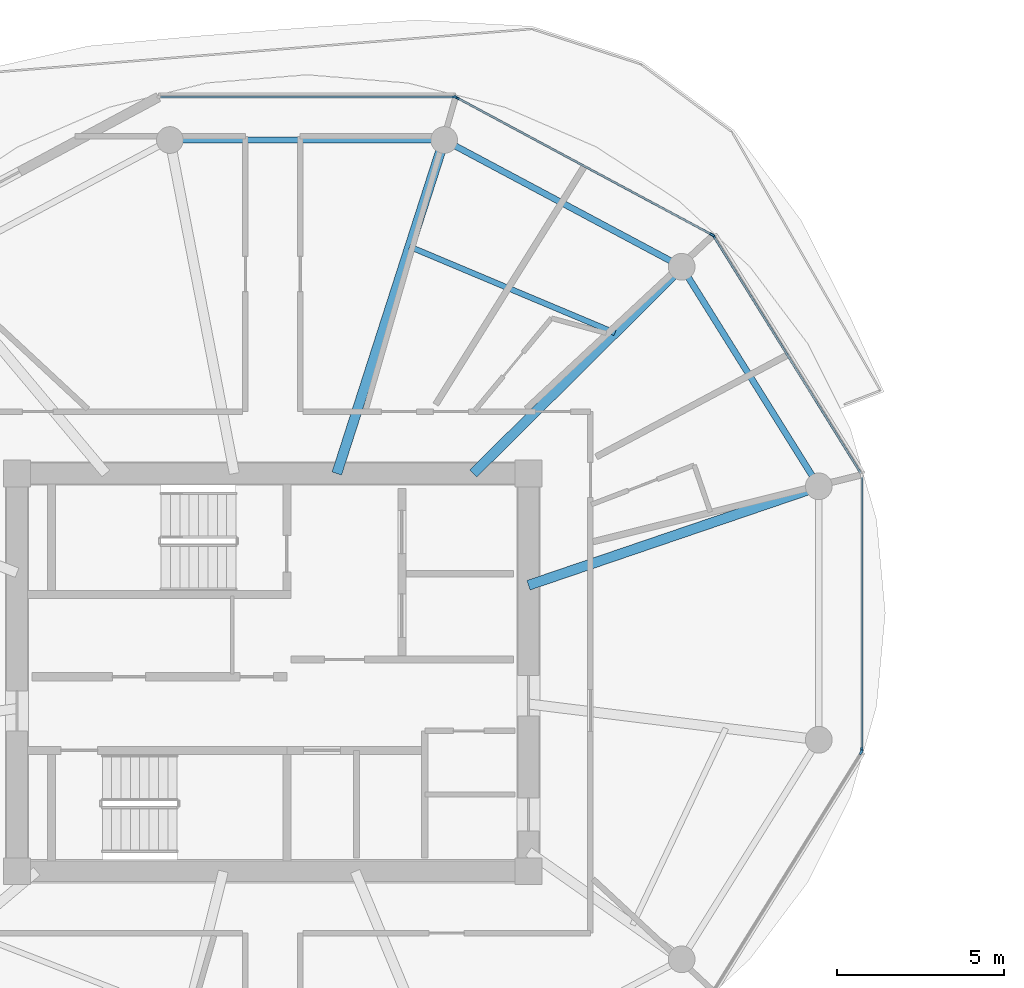
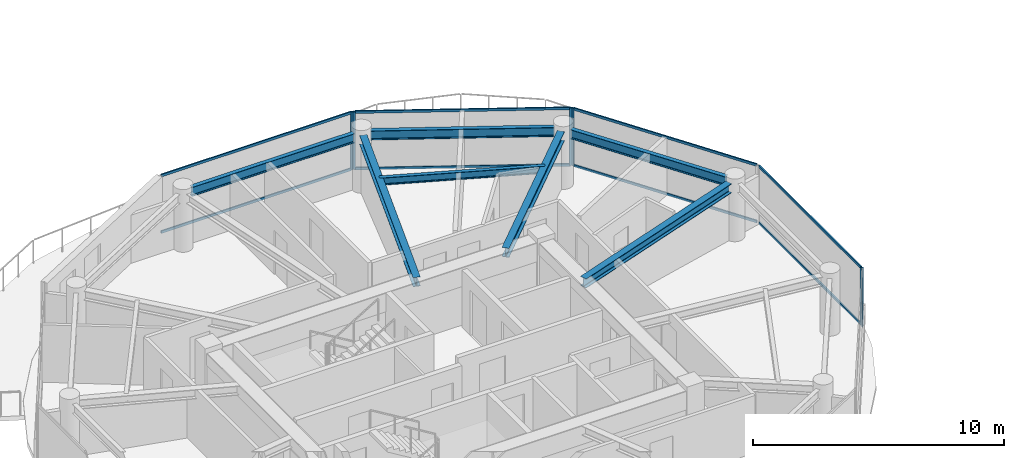
# One storey, part 5 of 21: 14 members, 7 beams, 5 elements without a shape of their own.
"""IFC4 building model written with IfcOpenShell, lengths in metres."""

from ifc_helpers import new_model, si_unit, direction, frame, origin, origin_2d, place, context, subcontext, project, spatial, rectangle, i_section, extrude, source, transform, mapped, material, layer, layer_set, material_profile, profile_set, type_object, type_shapes, element, aggregate, save


model = new_model("IFC4")

# Units and contexts
model_context = context("Model", 3, precision=1e-05, world=origin(), true_north=direction((0.0, 1.0)))
body_context = subcontext(model_context, "Body", "Model", "MODEL_VIEW")
ifc_project = project(units=[si_unit("LENGTHUNIT", "METRE"), si_unit("AREAUNIT", "SQUARE_METRE"), si_unit("VOLUMEUNIT", "CUBIC_METRE"), si_unit("PLANEANGLEUNIT", "RADIAN"), si_unit("MASSUNIT", "GRAM", prefix="KILO")], contexts=[model_context])

# Site, building, storey
site_placement = place(None, origin())
site = spatial("IfcSite", under=ifc_project, at=site_placement, CompositionType="ELEMENT")
building_placement = place(site_placement, origin())
building = spatial("IfcBuilding", under=site, at=building_placement, Name="Norrkilde Senior Care Towers", CompositionType="ELEMENT")
storey_placement = place(building_placement, frame((0.0, 0.0, 149.550048828125)))
storey = spatial("IfcBuildingStorey", under=building, at=storey_placement, Name="L46", CompositionType="ELEMENT", Elevation=149.550048828125)

# Beams
ifc_material_1 = material(Name="Steel S355", Category="steel")
ifc_material_profile_1 = material_profile(ifc_material_1, i_section(OverallWidth=0.18994140625, OverallDepth=0.449951171875, WebThickness=0.009521484375, FlangeThickness=0.0146484375, FilletRadius=0.02099609375, at=origin_2d()), Name="IPE 450")
ifc_profile_set_1 = profile_set([ifc_material_profile_1], Name="Steel S355")
beam_type_1 = type_object("IfcBeamType", Name="Perimeter Ring Spandrel Z3 IPE450", PredefinedType="SPANDREL", material=ifc_profile_set_1)
shared_shape_1 = source(origin(), body_context, "Body", "SweptSolid", [
    extrude(i_section(OverallWidth=0.18994140625, OverallDepth=0.449951171875, WebThickness=0.009521484375, FlangeThickness=0.0146484375, FilletRadius=0.02099609375, at=origin_2d()), origin(), (0.0, 0.0, 1.0), 7.0234375),
])
beam_1_placement = place(storey_placement, frame((-11.855712890625, 5.872314453125, 2.5849609375), z_axis=(-0.529789577822, 0.848129119433, 0.0), x_axis=(-0.848129119433, -0.529789577822, 0.0)))
element("IfcBeam", 1, at=beam_1_placement, inside=storey, type_object=beam_type_1, Name="L46 Drum W Perimeter Spandrel 01", PredefinedType="SPANDREL", context=body_context, shape_type="MappedRepresentation", body=[
    mapped(shared_shape_1, transform((0.0, 0.0, 0.0), x_axis=(1.0, 0.0, 0.0), y_axis=(0.0, 1.0, 0.0), z_axis=(0.0, 0.0, 1.0), scale=1.0)),
])
ifc_material_profile_2 = material_profile(ifc_material_1, i_section(OverallWidth=0.300048828125, OverallDepth=0.449951171875, WebThickness=0.013916015625, FlangeThickness=0.02587890625, FilletRadius=0.027099609375, at=origin_2d()), Name="HEB 450")
ifc_profile_set_2 = profile_set([ifc_material_profile_2], Name="Steel S355")
beam_type_2 = type_object("IfcBeamType", Name="Radial Floor Beam Z3 HEB450", PredefinedType="BEAM", material=ifc_profile_set_2)
shared_shape_2 = source(origin(), body_context, "Body", "SweptSolid", [
    extrude(i_section(OverallWidth=0.300048828125, OverallDepth=0.449951171875, WebThickness=0.013916015625, FlangeThickness=0.02587890625, FilletRadius=0.027099609375, at=origin_2d()), origin(), (0.0, 0.0, 1.0), 8.8154296875),
])
beam_2_placement = place(storey_placement, frame((-20.35009765625, 2.607177734375, 2.5849609375), z_axis=(0.946540556878, 0.322584832539, 0.0), x_axis=(-0.322584832539, 0.946540556878, 0.0)))
element("IfcBeam", 2, at=beam_2_placement, inside=storey, type_object=beam_type_2, Name="L46 Drum W Radial Floor Beam 01", PredefinedType="BEAM", context=body_context, shape_type="MappedRepresentation", body=[
    mapped(shared_shape_2, transform((0.0, 0.0, 0.0), x_axis=(1.0, 0.0, 0.0), y_axis=(0.0, 1.0, 0.0), z_axis=(0.0, 0.0, 1.0), scale=1.0)),
])
shared_shape_3 = source(origin(), body_context, "Body", "SweptSolid", [
    extrude(i_section(OverallWidth=0.18994140625, OverallDepth=0.449951171875, WebThickness=0.009521484375, FlangeThickness=0.0146484375, FilletRadius=0.02099609375, at=origin_2d()), origin(), (0.0, 0.0, 1.0), 7.333740234375),
])
beam_3_placement = place(storey_placement, frame((-16.0849609375, 12.303955078125, 2.5849609375), z_axis=(-0.882247866069, 0.470785198172, 0.0), x_axis=(-0.470785198172, -0.882247866069, 0.0)))
element("IfcBeam", 3, at=beam_3_placement, inside=storey, type_object=beam_type_1, Name="L46 Drum W Perimeter Spandrel 02", PredefinedType="SPANDREL", context=body_context, shape_type="MappedRepresentation", body=[
    mapped(shared_shape_3, transform((0.0, 0.0, 0.0), x_axis=(1.0, 0.0, 0.0), y_axis=(0.0, 1.0, 0.0), z_axis=(0.0, 0.0, 1.0), scale=1.0)),
])
shared_shape_4 = source(origin(), body_context, "Body", "SweptSolid", [
    extrude(i_section(OverallWidth=0.300048828125, OverallDepth=0.449951171875, WebThickness=0.013916015625, FlangeThickness=0.02587890625, FilletRadius=0.027099609375, at=origin_2d()), origin(), (0.0, 0.0, 1.0), 8.421630859375),
])
beam_4_placement = place(storey_placement, frame((-22.001953125, 5.949951171875, 2.5849609375), z_axis=(0.709956495972, 0.704245535184, 0.0), x_axis=(-0.704245535184, 0.709956495972, 0.0)))
element("IfcBeam", 4, at=beam_4_placement, inside=storey, type_object=beam_type_2, Name="L46 Drum W Radial Floor Beam 02", PredefinedType="BEAM", context=body_context, shape_type="MappedRepresentation", body=[
    mapped(shared_shape_4, transform((0.0, 0.0, 0.0), x_axis=(1.0, 0.0, 0.0), y_axis=(0.0, 1.0, 0.0), z_axis=(0.0, 0.0, 1.0), scale=1.0)),
])
shared_shape_5 = source(origin(), body_context, "Body", "SweptSolid", [
    extrude(i_section(OverallWidth=0.18994140625, OverallDepth=0.449951171875, WebThickness=0.009521484375, FlangeThickness=0.0146484375, FilletRadius=0.02099609375, at=origin_2d()), origin(), (0.0, 0.0, 1.0), 7.484619140625),
])
type_shapes(beam_type_1, [shared_shape_1, shared_shape_3, shared_shape_5])
beam_5_placement = place(storey_placement, frame((-23.232666015625, 15.92626953125, 2.5849609375), z_axis=(-1.0, 0.0, 0.0), x_axis=(0.0, -1.0, 0.0)))
element("IfcBeam", 5, at=beam_5_placement, inside=storey, type_object=beam_type_1, Name="L46 Drum W Perimeter Spandrel 03", PredefinedType="SPANDREL", context=body_context, shape_type="MappedRepresentation", body=[
    mapped(shared_shape_5, transform((0.0, 0.0, 0.0), x_axis=(1.0, 0.0, 0.0), y_axis=(0.0, 1.0, 0.0), z_axis=(0.0, 0.0, 1.0), scale=1.0)),
])
shared_shape_6 = source(origin(), body_context, "Body", "SweptSolid", [
    extrude(i_section(OverallWidth=0.300048828125, OverallDepth=0.449951171875, WebThickness=0.013916015625, FlangeThickness=0.02587890625, FilletRadius=0.027099609375, at=origin_2d()), origin(), (0.0, 0.0, 1.0), 10.120361328125),
])
type_shapes(beam_type_2, [shared_shape_2, shared_shape_4, shared_shape_6])
beam_6_placement = place(storey_placement, frame((-26.08447265625, 5.949951171875, 2.5849609375), z_axis=(0.306440973744, 0.951889662519, 0.0), x_axis=(-0.951889662519, 0.306440973744, 0.0)))
element("IfcBeam", 6, at=beam_6_placement, inside=storey, type_object=beam_type_2, Name="L46 Drum W Radial Floor Beam 03", PredefinedType="BEAM", context=body_context, shape_type="MappedRepresentation", body=[
    mapped(shared_shape_6, transform((0.0, 0.0, 0.0), x_axis=(1.0, 0.0, 0.0), y_axis=(0.0, 1.0, 0.0), z_axis=(0.0, 0.0, 1.0), scale=1.0)),
])
ifc_material_profile_3 = material_profile(ifc_material_1, i_section(OverallWidth=0.169921875, OverallDepth=0.360107421875, WebThickness=0.008056640625, FlangeThickness=0.0126953125, FilletRadius=0.01806640625, at=origin_2d()), Name="IPE 360")
ifc_profile_set_3 = profile_set([ifc_material_profile_3], Name="Steel S355")
beam_type_3 = type_object("IfcBeamType", Name="Secondary Floor Joist IPE360", PredefinedType="JOIST", material=ifc_profile_set_3)
shared_shape_7 = source(origin(), body_context, "Body", "SweptSolid", [
    extrude(i_section(OverallWidth=0.169921875, OverallDepth=0.360107421875, WebThickness=0.008056640625, FlangeThickness=0.0126953125, FilletRadius=0.01806640625, at=origin_2d()), origin(), (0.0, 0.0, 1.0), 6.657470703125),
])
type_shapes(beam_type_3, [shared_shape_7])
beam_7_placement = place(storey_placement, frame((-17.762451171875, 10.155517578125, 2.6298828125), z_axis=(-0.921958799252, 0.387287971, 0.0), x_axis=(-0.387287971, -0.921958799252, 0.0)))
element("IfcBeam", 7, at=beam_7_placement, inside=storey, type_object=beam_type_3, Name="L46 Drum W Secondary Floor Joist 1", PredefinedType="JOIST", context=body_context, shape_type="MappedRepresentation", body=[
    mapped(shared_shape_7, transform((0.0, 0.0, 0.0), x_axis=(1.0, 0.0, 0.0), y_axis=(0.0, 1.0, 0.0), z_axis=(0.0, 0.0, 1.0), scale=1.0)),
])

# Curtain wall, member
ifc_material_2 = material(Name="Triple Low-E Insulated Glazing", Category="glass")
ifc_layer = layer(ifc_material_2, 0.18994140625)
ifc_layer_set = layer_set([ifc_layer], Name="Triple Low-E Insulated Glazing")
curtain_wall_type = type_object("IfcCurtainWallType", Name="CW4 Zone 3 Senior Residence Curtain Wall", PredefinedType="NOTDEFINED", material=ifc_layer_set)
curtain_wall_1_placement = place(storey_placement, origin())
curtain_wall_1 = element("IfcCurtainWall", 8, at=curtain_wall_1_placement, inside=storey, type_object=curtain_wall_type, Name="L46 Drum W Curtain Wall 00", PredefinedType="NOTDEFINED")
ifc_material_3 = material(Name="Anodised Aluminium", Category="aluminium")
ifc_material_profile_4 = material_profile(ifc_material_3, rectangle(XDim=0.06494140625, YDim=0.14990234375, at=origin_2d()), Name="ALU MULL 65x150")
ifc_profile_set_4 = profile_set([ifc_material_profile_4], Name="Anodised Aluminium")
member_type_1 = type_object("IfcMemberType", Name="Curtain Wall Mullion Z3-Z4 65x150", PredefinedType="MULLION", material=ifc_profile_set_4)
shared_shape_8 = source(origin(), body_context, "Body", "SweptSolid", [
    extrude(rectangle(XDim=0.06494140625, YDim=0.14990234375, at=origin_2d()), origin(), (0.0, 0.0, 1.0), 2.81005859375),
])
type_shapes(member_type_1, [shared_shape_8])
member_1_placement = place(storey_placement, frame((-14.809814453125, 13.04736328125, 0.0), z_axis=(0.0, 0.0, 1.0), x_axis=(0.84963405474, 0.52737270789, 0.0)))
member_1 = element("IfcMember", 9, at=member_1_placement, type_object=member_type_1, Name="CW-4 mullion 1", PredefinedType="MULLION", context=body_context, shape_type="MappedRepresentation", body=[
    mapped(shared_shape_8, transform((0.0, 0.0, 0.0), x_axis=(1.0, 0.0, 0.0), y_axis=(0.0, 1.0, 0.0), z_axis=(0.0, 0.0, 1.0), scale=1.0)),
])

# Curtain wall, members
curtain_wall_2_placement = place(storey_placement, origin())
curtain_wall_2 = element("IfcCurtainWall", 10, at=curtain_wall_2_placement, inside=storey, type_object=curtain_wall_type, Name="L46 Drum W Curtain Wall 01", PredefinedType="NOTDEFINED")
member_2_placement = place(storey_placement, frame((-22.499755859375, 17.195556640625, 0.0), z_axis=(0.0, 0.0, 1.0), x_axis=(0.47311715104, 0.880999524059, 0.0)))
member_2 = element("IfcMember", 11, at=member_2_placement, type_object=member_type_1, Name="CW-4 mullion 1", PredefinedType="MULLION", context=body_context, shape_type="MappedRepresentation", body=[
    mapped(shared_shape_8, transform((0.0, 0.0, 0.0), x_axis=(1.0, 0.0, 0.0), y_axis=(0.0, 1.0, 0.0), z_axis=(0.0, 0.0, 1.0), scale=1.0)),
])
member_3_placement = place(storey_placement, frame((-14.85546875, 13.09033203125, 0.0), z_axis=(0.0, 0.0, 1.0), x_axis=(0.47311715104, 0.880999524059, 0.0)))
member_3 = element("IfcMember", 12, at=member_3_placement, type_object=member_type_1, Name="CW-4 mullion 2", PredefinedType="MULLION", context=body_context, shape_type="MappedRepresentation", body=[
    mapped(shared_shape_8, transform((0.0, 0.0, 0.0), x_axis=(1.0, 0.0, 0.0), y_axis=(0.0, 1.0, 0.0), z_axis=(0.0, 0.0, 1.0), scale=1.0)),
])

# Curtain wall, member
curtain_wall_3_placement = place(storey_placement, origin())
curtain_wall_3 = element("IfcCurtainWall", 13, at=curtain_wall_3_placement, inside=storey, type_object=curtain_wall_type, Name="L46 Drum W Curtain Wall 02", PredefinedType="NOTDEFINED")
member_4_placement = place(storey_placement, frame((-22.56103515625, 17.2109375, 0.0), z_axis=(0.0, 0.0, 1.0), x_axis=(0.0, 1.0, 0.0)))
member_4 = element("IfcMember", 14, at=member_4_placement, type_object=member_type_1, Name="CW-4 mullion 2", PredefinedType="MULLION", context=body_context, shape_type="MappedRepresentation", body=[
    mapped(shared_shape_8, transform((0.0, 0.0, 0.0), x_axis=(1.0, 0.0, 0.0), y_axis=(0.0, 1.0, 0.0), z_axis=(0.0, 0.0, 1.0), scale=1.0)),
])

curtain_wall_4_placement = place(storey_placement, origin())
curtain_wall_4 = element("IfcCurtainWall", 15, at=curtain_wall_4_placement, inside=storey, type_object=curtain_wall_type, Name="L46 Drum W Curtain Wall 10", PredefinedType="NOTDEFINED")
member_5_placement = place(storey_placement, frame((-10.3974609375, -2.38818359375, 0.0), z_axis=(0.0, 0.0, 1.0), x_axis=(0.84963405474, -0.52737270789, 0.0)))
member_5 = element("IfcMember", 16, at=member_5_placement, type_object=member_type_1, Name="CW-4 mullion 1", PredefinedType="MULLION", context=body_context, shape_type="MappedRepresentation", body=[
    mapped(shared_shape_8, transform((0.0, 0.0, 0.0), x_axis=(1.0, 0.0, 0.0), y_axis=(0.0, 1.0, 0.0), z_axis=(0.0, 0.0, 1.0), scale=1.0)),
])
aggregate(curtain_wall_4, [member_5])

curtain_wall_5_placement = place(storey_placement, origin())
curtain_wall_5 = element("IfcCurtainWall", 17, at=curtain_wall_5_placement, inside=storey, type_object=curtain_wall_type, Name="L46 Drum W Curtain Wall 11", PredefinedType="NOTDEFINED")
member_6_placement = place(storey_placement, frame((-10.38037109375, -2.328125, 0.0), z_axis=(0.0, 0.0, 1.0), x_axis=(1.0, 0.0, 0.0)))
member_6 = element("IfcMember", 18, at=member_6_placement, type_object=member_type_1, Name="CW-4 mullion 2", PredefinedType="MULLION", context=body_context, shape_type="MappedRepresentation", body=[
    mapped(shared_shape_8, transform((0.0, 0.0, 0.0), x_axis=(1.0, 0.0, 0.0), y_axis=(0.0, 1.0, 0.0), z_axis=(0.0, 0.0, 1.0), scale=1.0)),
])

# Member
ifc_material_profile_5 = material_profile(ifc_material_3, rectangle(XDim=0.06005859375, YDim=0.1201171875, at=origin_2d()), Name="ALU TRAN 60x120")
ifc_profile_set_5 = profile_set([ifc_material_profile_5], Name="Anodised Aluminium")
member_type_2 = type_object("IfcMemberType", Name="Curtain Wall Transom Typical 60x120", PredefinedType="USERDEFINED", material=ifc_profile_set_5)
shared_shape_9 = source(origin(), body_context, "Body", "SweptSolid", [
    extrude(rectangle(XDim=0.06005859375, YDim=0.1201171875, at=origin_2d()), origin(), (0.0, 0.0, 1.0), 8.301513671875),
])
member_7_placement = place(storey_placement, frame((-14.792724609375, 13.019775390625, 0.030029296875), z_axis=(0.527368718394, -0.849636531029, 0.0), x_axis=(0.849636531029, 0.527368718394, 0.0)))
member_7 = element("IfcMember", 19, at=member_7_placement, type_object=member_type_2, Name="CW-4 transom 1.1", ObjectType="TRANSOM", PredefinedType="USERDEFINED", context=body_context, shape_type="MappedRepresentation", body=[
    mapped(shared_shape_9, transform((0.0, 0.0, 0.0), x_axis=(1.0, 0.0, 0.0), y_axis=(0.0, 1.0, 0.0), z_axis=(0.0, 0.0, 1.0), scale=1.0)),
])

member_8_placement = place(storey_placement, frame((-14.792724609375, 13.019775390625, 2.780029296875), z_axis=(0.527368718394, -0.849636531029, 0.0), x_axis=(0.849636531029, 0.527368718394, 0.0)))
member_8 = element("IfcMember", 20, at=member_8_placement, type_object=member_type_2, Name="CW-4 transom 1.2", ObjectType="TRANSOM", PredefinedType="USERDEFINED", context=body_context, shape_type="MappedRepresentation", body=[
    mapped(shared_shape_9, transform((0.0, 0.0, 0.0), x_axis=(1.0, 0.0, 0.0), y_axis=(0.0, 1.0, 0.0), z_axis=(0.0, 0.0, 1.0), scale=1.0)),
])

aggregate(curtain_wall_1, [member_1, member_7, member_8])

shared_shape_10 = source(origin(), body_context, "Body", "SweptSolid", [
    extrude(rectangle(XDim=0.06005859375, YDim=0.1201171875, at=origin_2d()), origin(), (0.0, 0.0, 1.0), 8.61181640625),
])
member_9_placement = place(storey_placement, frame((-22.47119140625, 17.18017578125, 0.030029296875), z_axis=(0.880993991641, -0.473127452906, 0.0), x_axis=(0.473127452906, 0.880993991641, 0.0)))
member_9 = element("IfcMember", 21, at=member_9_placement, type_object=member_type_2, Name="CW-4 transom 1.1", ObjectType="TRANSOM", PredefinedType="USERDEFINED", context=body_context, shape_type="MappedRepresentation", body=[
    mapped(shared_shape_10, transform((0.0, 0.0, 0.0), x_axis=(1.0, 0.0, 0.0), y_axis=(0.0, 1.0, 0.0), z_axis=(0.0, 0.0, 1.0), scale=1.0)),
])

member_10_placement = place(storey_placement, frame((-22.47119140625, 17.18017578125, 2.780029296875), z_axis=(0.880993991641, -0.473127452906, 0.0), x_axis=(0.473127452906, 0.880993991641, 0.0)))
member_10 = element("IfcMember", 22, at=member_10_placement, type_object=member_type_2, Name="CW-4 transom 1.2", ObjectType="TRANSOM", PredefinedType="USERDEFINED", context=body_context, shape_type="MappedRepresentation", body=[
    mapped(shared_shape_10, transform((0.0, 0.0, 0.0), x_axis=(1.0, 0.0, 0.0), y_axis=(0.0, 1.0, 0.0), z_axis=(0.0, 0.0, 1.0), scale=1.0)),
])

aggregate(curtain_wall_2, [member_2, member_3, member_9, member_10])

shared_shape_11 = source(origin(), body_context, "Body", "SweptSolid", [
    extrude(rectangle(XDim=0.06005859375, YDim=0.1201171875, at=origin_2d()), origin(), (0.0, 0.0, 1.0), 8.762939453125),
])
member_11_placement = place(storey_placement, frame((-31.3564453125, 17.2109375, 0.030029296875), z_axis=(1.0, 0.0, 0.0), x_axis=(0.0, 1.0, 0.0)))
member_11 = element("IfcMember", 23, at=member_11_placement, type_object=member_type_2, Name="CW-4 transom 1.1", ObjectType="TRANSOM", PredefinedType="USERDEFINED", context=body_context, shape_type="MappedRepresentation", body=[
    mapped(shared_shape_11, transform((0.0, 0.0, 0.0), x_axis=(1.0, 0.0, 0.0), y_axis=(0.0, 1.0, 0.0), z_axis=(0.0, 0.0, 1.0), scale=1.0)),
])

member_12_placement = place(storey_placement, frame((-31.3564453125, 17.2109375, 2.780029296875), z_axis=(1.0, 0.0, 0.0), x_axis=(0.0, 1.0, 0.0)))
member_12 = element("IfcMember", 24, at=member_12_placement, type_object=member_type_2, Name="CW-4 transom 1.2", ObjectType="TRANSOM", PredefinedType="USERDEFINED", context=body_context, shape_type="MappedRepresentation", body=[
    mapped(shared_shape_11, transform((0.0, 0.0, 0.0), x_axis=(1.0, 0.0, 0.0), y_axis=(0.0, 1.0, 0.0), z_axis=(0.0, 0.0, 1.0), scale=1.0)),
])

aggregate(curtain_wall_3, [member_4, member_11, member_12])

shared_shape_12 = source(origin(), body_context, "Body", "SweptSolid", [
    extrude(rectangle(XDim=0.06005859375, YDim=0.1201171875, at=origin_2d()), origin(), (0.0, 0.0, 1.0), 8.141845703125),
])
type_shapes(member_type_2, [shared_shape_9, shared_shape_10, shared_shape_11, shared_shape_12])
member_13_placement = place(storey_placement, frame((-10.38037109375, 5.84619140625, 0.030029296875), z_axis=(0.0, -1.0, 0.0), x_axis=(1.0, 0.0, 0.0)))
member_13 = element("IfcMember", 25, at=member_13_placement, type_object=member_type_2, Name="CW-4 transom 1.1", ObjectType="TRANSOM", PredefinedType="USERDEFINED", context=body_context, shape_type="MappedRepresentation", body=[
    mapped(shared_shape_12, transform((0.0, 0.0, 0.0), x_axis=(1.0, 0.0, 0.0), y_axis=(0.0, 1.0, 0.0), z_axis=(0.0, 0.0, 1.0), scale=1.0)),
])

member_14_placement = place(storey_placement, frame((-10.38037109375, 5.84619140625, 2.780029296875), z_axis=(0.0, -1.0, 0.0), x_axis=(1.0, 0.0, 0.0)))
member_14 = element("IfcMember", 26, at=member_14_placement, type_object=member_type_2, Name="CW-4 transom 1.2", ObjectType="TRANSOM", PredefinedType="USERDEFINED", context=body_context, shape_type="MappedRepresentation", body=[
    mapped(shared_shape_12, transform((0.0, 0.0, 0.0), x_axis=(1.0, 0.0, 0.0), y_axis=(0.0, 1.0, 0.0), z_axis=(0.0, 0.0, 1.0), scale=1.0)),
])

aggregate(curtain_wall_5, [member_6, member_13, member_14])

save(model, "model.ifc")
